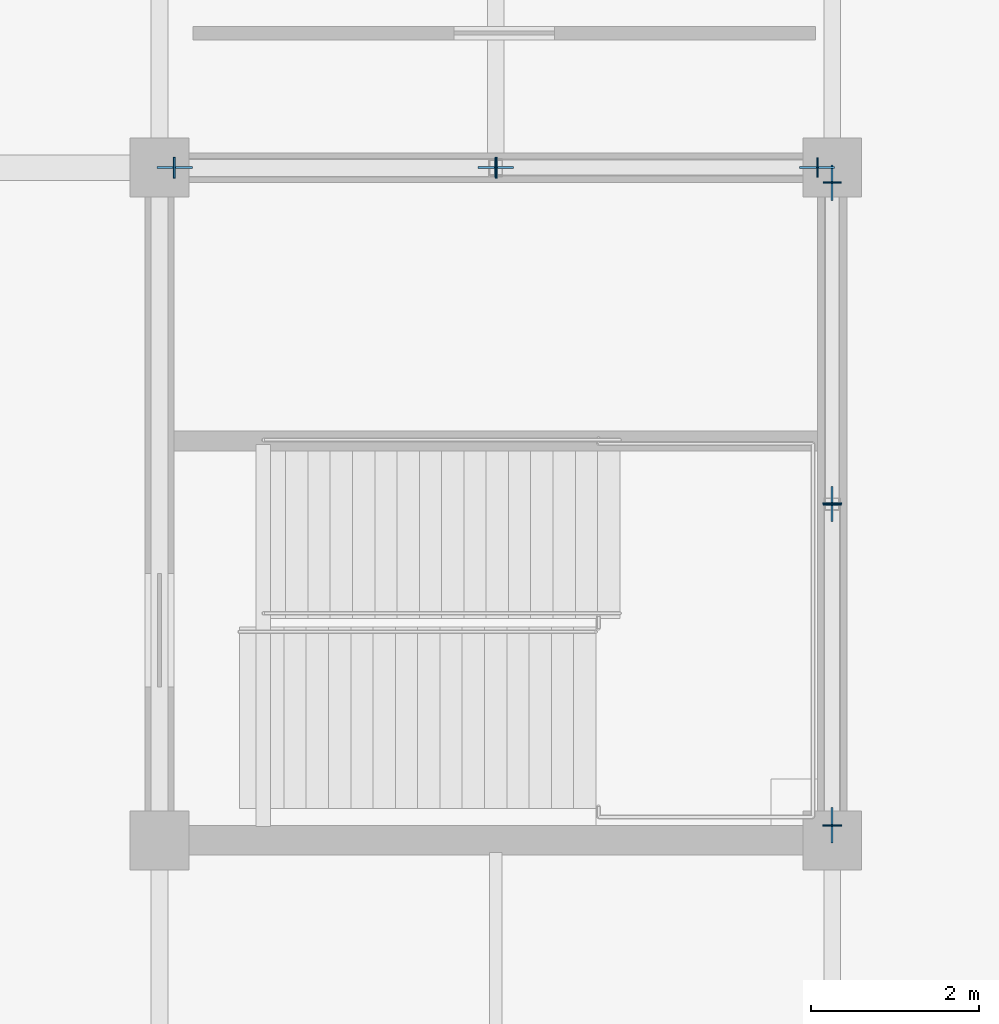
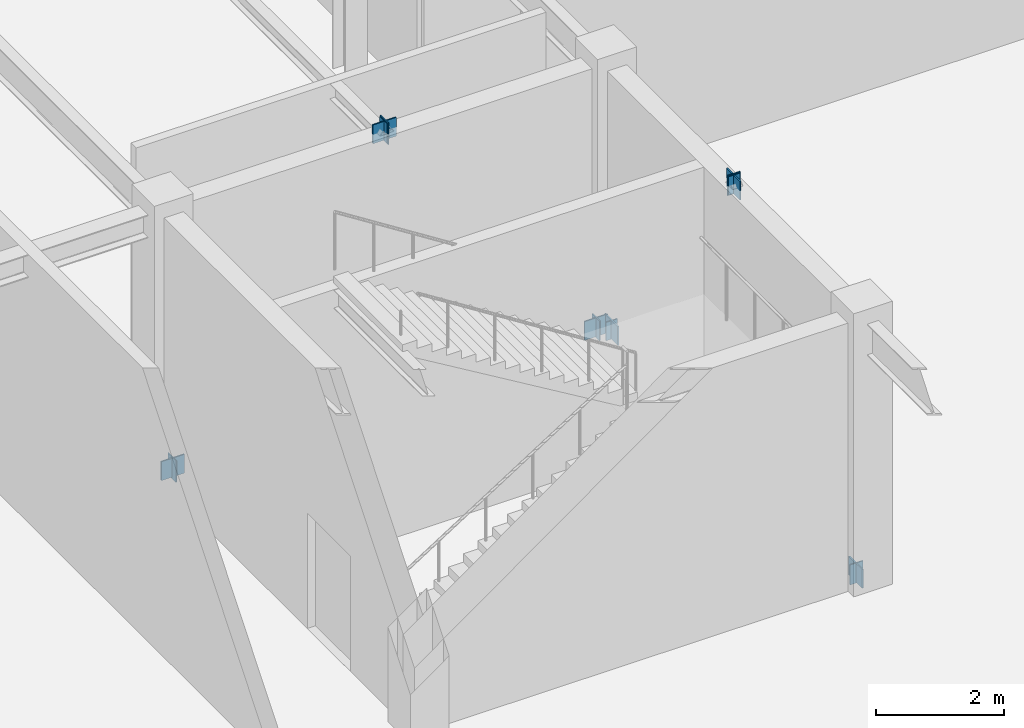
# One storey, part 84 of 119: 14 plates.
"""IFC4 building model written with IfcOpenShell, lengths in metres."""

from ifc_helpers import new_model, si_unit, direction, frame, origin, origin_2d, place, context, subcontext, project, spatial, rectangle, extrude, material, layer, layer_set, type_object, element, save


model = new_model("IFC4")

# Units and contexts
model_context = context("Model", 3, precision=1e-05, world=origin(), true_north=direction((0.0, 1.0)))
body_context = subcontext(model_context, "Body", "Model", "MODEL_VIEW")
ifc_project = project(units=[si_unit("LENGTHUNIT", "METRE"), si_unit("AREAUNIT", "SQUARE_METRE"), si_unit("VOLUMEUNIT", "CUBIC_METRE"), si_unit("PLANEANGLEUNIT", "RADIAN"), si_unit("MASSUNIT", "GRAM", prefix="KILO")], contexts=[model_context])

# Site, building, storey
site_placement = place(None, origin())
site = spatial("IfcSite", under=ifc_project, at=site_placement, CompositionType="ELEMENT")
building_placement = place(site_placement, origin())
building = spatial("IfcBuilding", under=site, at=building_placement, Name="Zhaolan Boulevard Law Courts", CompositionType="ELEMENT")
storey_placement = place(building_placement, origin())
storey = spatial("IfcBuildingStorey", under=building, at=storey_placement, Name="L00", CompositionType="ELEMENT", Elevation=0.0)

# Plates
ifc_material_1 = material(Name="Structural steel Q355B", Category="steel")
ifc_layer_1 = layer(ifc_material_1, 0.02392578125)
ifc_layer_set_1 = layer_set([ifc_layer_1])
plate_type_1 = type_object("IfcPlateType", Name="BRACE GUSSET PLATE 24", PredefinedType="SHEET", material=ifc_layer_set_1)
for number, where, z_axis, x_axis, name in (
    (1, (140.179931640625, 78.0, -0.14990234375), (0.0, 0.0, 1.0), (1.0, 0.0, 0.0), "Brace Gusset Connection Plate GP-T2-L00-NA1"),
    (2, (147.820068359375, 78.0, -0.14990234375), (0.0, 0.0, 1.0), (1.0, 0.0, 0.0), "Brace Gusset Connection Plate GP-T2-L00-NA2"),
    (3, (144.0, 78.0, 4.93994140625), (0.0, 0.0, 1.0), (1.0, 0.0, 0.0), "Brace Gusset Connection Plate GP-T2-L00-NAPX"),
    (4, (148.0, 70.179931640625, -0.14990234375), (0.0, 0.0, 1.0), (0.0, 1.0, 0.0), "Brace Gusset Connection Plate GP-T2-L00-EA1"),
    (5, (148.0, 77.820068359375, -0.14990234375), (0.0, 0.0, 1.0), (0.0, 1.0, 0.0), "Brace Gusset Connection Plate GP-T2-L00-EA2"),
    (6, (148.0, 74.0, 4.93994140625), (0.0, 0.0, 1.0), (0.0, 1.0, 0.0), "Brace Gusset Connection Plate GP-T2-L00-EAPX"),
):
    element("IfcPlate", number, at=place(storey_placement, frame(where, z_axis=z_axis, x_axis=x_axis)), inside=storey, type_object=plate_type_1, Name=name, PredefinedType="SHEET", context=body_context, shape_type="SweptSolid", body=[
        extrude(rectangle(XDim=0.419921875, YDim=0.02392578125, at=origin_2d()), origin(), (0.0, 0.0, 1.0), 0.360107421875),
    ])
ifc_material_2 = material(Name="Structural steel Q355B", Category="steel")
ifc_layer_2 = layer(ifc_material_2, 0.02001953125)
ifc_layer_set_2 = layer_set([ifc_layer_2])
plate_type_2 = type_object("IfcPlateType", Name="END CAP PLATE 20", PredefinedType="SHEET", material=ifc_layer_set_2)
for number, where, z_axis, x_axis, name in (
    (7, (140.17529296875, 78.0, -0.184326171875), (0.0, 0.0, 1.0), (1.0, 0.0, 0.0), "Hollow Section End-Cap Plate ECP-1311"),
    (8, (144.0048828125, 78.0, 4.91845703125), (0.0, 0.0, 1.0), (1.0, 0.0, 0.0), "Hollow Section End-Cap Plate ECP-1312"),
):
    element("IfcPlate", number, at=place(storey_placement, frame(where, z_axis=z_axis, x_axis=x_axis)), inside=storey, type_object=plate_type_2, Name=name, PredefinedType="SHEET", context=body_context, shape_type="SweptSolid", body=[
        extrude(rectangle(XDim=0.02001953125, YDim=0.25, at=origin_2d()), origin(), (0.0, 0.0, 1.0), 0.416015625),
    ])
for number, where, z_axis, x_axis, name in (
    (9, (147.82470703125, 78.0, -0.16796875), (0.0, 0.0, 1.0), (-1.0, 0.0, 0.0), "Hollow Section End-Cap Plate ECP-1313"),
    (10, (143.9951171875, 78.0, 4.93505859375), (0.0, 0.0, 1.0), (-1.0, 0.0, 0.0), "Hollow Section End-Cap Plate ECP-1314"),
    (11, (148.0, 70.17529296875, -0.16796875), (0.0, 0.0, 1.0), (0.0, 1.0, 0.0), "Hollow Section End-Cap Plate ECP-1315"),
    (12, (148.0, 74.0048828125, 4.93505859375), (0.0, 0.0, 1.0), (0.0, 1.0, 0.0), "Hollow Section End-Cap Plate ECP-1316"),
):
    element("IfcPlate", number, at=place(storey_placement, frame(where, z_axis=z_axis, x_axis=x_axis)), inside=storey, type_object=plate_type_2, Name=name, PredefinedType="SHEET", context=body_context, shape_type="SweptSolid", body=[
        extrude(rectangle(XDim=0.02001953125, YDim=0.22998046875, at=origin_2d()), origin(), (0.0, 0.0, 1.0), 0.383056640625),
    ])
for number, where, z_axis, x_axis, name in (
    (13, (148.0, 77.82470703125, -0.1513671875), (0.0, 0.0, 1.0), (0.0, -1.0, 0.0), "Hollow Section End-Cap Plate ECP-1317"),
    (14, (148.0, 73.9951171875, 4.951416015625), (0.0, 0.0, 1.0), (0.0, -1.0, 0.0), "Hollow Section End-Cap Plate ECP-1318"),
):
    element("IfcPlate", number, at=place(storey_placement, frame(where, z_axis=z_axis, x_axis=x_axis)), inside=storey, type_object=plate_type_2, Name=name, PredefinedType="SHEET", context=body_context, shape_type="SweptSolid", body=[
        extrude(rectangle(XDim=0.02001953125, YDim=0.2099609375, at=origin_2d()), origin(), (0.0, 0.0, 1.0), 0.35009765625),
    ])

save(model, "model.ifc")
